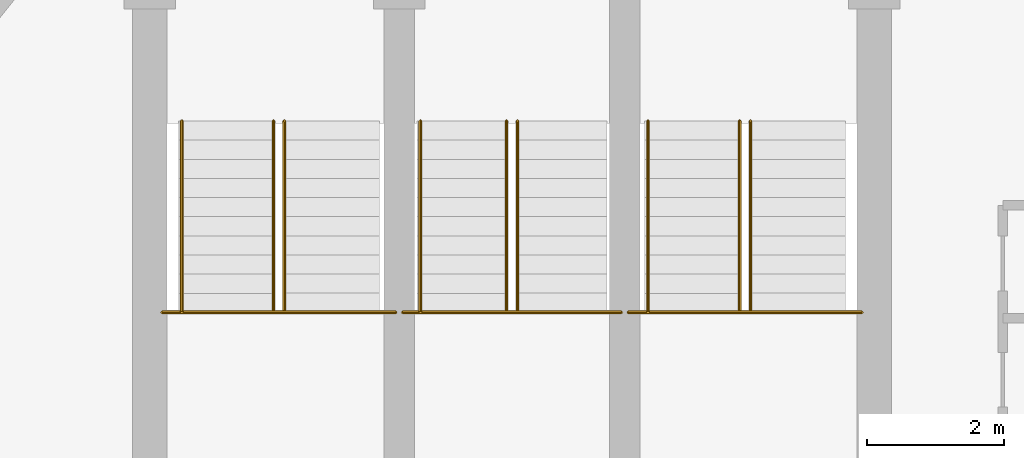
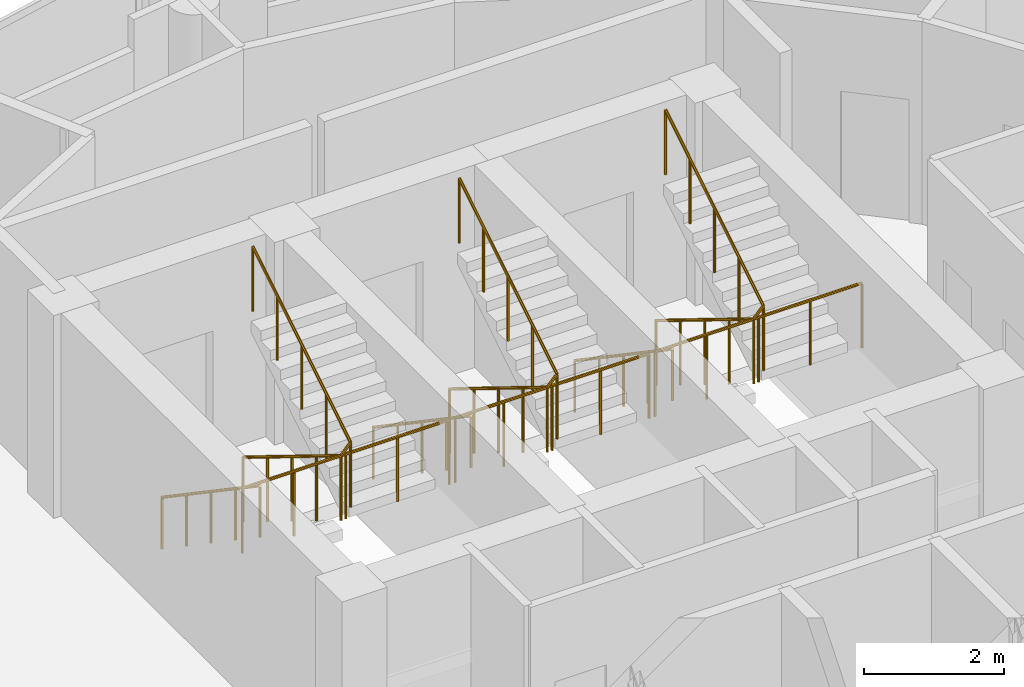
# One storey, part 25 of 25: 9 railings.
"""IFC4 building model written with IfcOpenShell, lengths in metres."""

import ifcopenshell
import ifcopenshell.guid

model = None  # the IFC model being written
_history = None  # IfcOwnerHistory: only IFC2X3 demands one
_inside = {}  # id of a spatial element -> (the spatial element, [elements in it])
_under = {}  # id of a project, library or spatial element -> (it, [spatial elements below it])
_declared = {}  # id of a project -> (the project, [libraries it declares])
_typed = {}  # id of a type object -> (the type object, [elements of that type])
_made_of = {}  # id of a material, layer set ... -> (it, [elements and type objects made of it])


def new_model(schema):
    """Start an empty IFC model of exactly this schema.

    Asked for "IFC4X3", IfcOpenShell would pick the latest addendum, in which some entities
    have other attributes; the version numbers below select the first issue.
    IFC2X3 requires an IfcOwnerHistory on every rooted entity: one is made here for all.
    """
    global model, _history
    if schema == "IFC4X3":
        model = ifcopenshell.file(schema_version=(4, 3, 0, 0))
    else:
        model = ifcopenshell.file(schema=schema)
    _inside.clear()
    _under.clear()
    _declared.clear()
    _typed.clear()
    _made_of.clear()
    _history = None
    if model.schema == "IFC2X3":
        org = make("IfcOrganization", Name="unknown")
        user = make(
            "IfcPersonAndOrganization",
            ThePerson=make("IfcPerson", FamilyName="unknown"),
            TheOrganization=org,
        )
        app = make(
            "IfcApplication",
            ApplicationDeveloper=org,
            Version="unknown",
            ApplicationFullName="unknown",
            ApplicationIdentifier="unknown",
        )
        _history = make(
            "IfcOwnerHistory",
            OwningUser=user,
            OwningApplication=app,
            ChangeAction="ADDED",
            CreationDate=0,
        )
    return model


def make(cls, **values):
    """One entity of the class cls with the attributes given. An attribute that is None is left unset."""
    return model.create_entity(
        cls, **{name: value for name, value in values.items() if value is not None}
    )


def rooted(cls, **values):
    """An entity with a GlobalId (a new one), such as an element, a storey or a relation."""
    return make(cls, GlobalId=ifcopenshell.guid.new(), OwnerHistory=_history, **values)


def si_unit(unit_type, name, prefix=None):
    """IfcSIUnit, for example si_unit("LENGTHUNIT", "METRE", prefix="MILLI")."""
    return make("IfcSIUnit", UnitType=unit_type, Prefix=prefix, Name=name)


def assignment(units):
    """IfcUnitAssignment: the units of a project."""
    return None if units is None else make("IfcUnitAssignment", Units=units)


def point(xyz):
    """IfcCartesianPoint."""
    return None if xyz is None else make("IfcCartesianPoint", Coordinates=xyz)


def direction(xyz):
    """IfcDirection."""
    return None if xyz is None else make("IfcDirection", DirectionRatios=xyz)


def frame(location, z_axis=None, x_axis=None):
    """IfcAxis2Placement3D, a coordinate frame: its origin and axes. An axis left out is left unset."""
    return make(
        "IfcAxis2Placement3D",
        Location=point(location),
        Axis=direction(z_axis),
        RefDirection=direction(x_axis),
    )


def origin():
    """The frame at (0, 0, 0) with its axes left unset."""
    return frame((0.0, 0.0, 0.0))


def place(relative_to, where):
    """IfcLocalPlacement: puts the frame where relative to a parent placement (None: the world)."""
    return make(
        "IfcLocalPlacement", PlacementRelTo=relative_to, RelativePlacement=where
    )


def context(
    kind, dimensions, precision=None, world=None, true_north=None, identifier=None
):
    """IfcGeometricRepresentationContext, for example the 3D "Model" context."""
    return make(
        "IfcGeometricRepresentationContext",
        ContextIdentifier=identifier,
        ContextType=kind,
        CoordinateSpaceDimension=dimensions,
        Precision=precision,
        WorldCoordinateSystem=world,
        TrueNorth=true_north,
    )


def subcontext(parent, identifier, kind, view, scale=None):
    """IfcGeometricRepresentationSubContext, for example "Body" below "Model"."""
    return make(
        "IfcGeometricRepresentationSubContext",
        ContextIdentifier=identifier,
        ContextType=kind,
        ParentContext=parent,
        TargetScale=scale,
        TargetView=view,
    )


def project(units=None, contexts=None):
    """IfcProject with its units and contexts."""
    return rooted(
        "IfcProject",
        Name="project",
        RepresentationContexts=contexts,
        UnitsInContext=assignment(units),
    )


def spatial(cls, under=None, at=None, **own):
    """A site, building, storey or space (cls), placed at a placement, below another one or the project."""
    s = rooted(cls, ObjectPlacement=at, **own)
    if under is not None:
        _under.setdefault(under.id(), (under, []))[1].append(s)
    return s


def polyline(points):
    """IfcPolyline through the points."""
    return make("IfcPolyline", Points=[point(p) for p in points])


def outline(outer, holes=None, kind="AREA"):
    """IfcArbitraryClosedProfileDef: a profile drawn as a closed curve; with holes, ...WithVoids."""
    if holes is None:
        return make("IfcArbitraryClosedProfileDef", ProfileType=kind, OuterCurve=outer)
    return make(
        "IfcArbitraryProfileDefWithVoids",
        ProfileType=kind,
        OuterCurve=outer,
        InnerCurves=holes,
    )


def extrude(swept, where, along, depth):
    """IfcExtrudedAreaSolid: the profile swept, set in the frame where, extruded along a direction by depth."""
    return make(
        "IfcExtrudedAreaSolid",
        SweptArea=swept,
        Position=where,
        ExtrudedDirection=direction(along),
        Depth=depth,
    )


def shape(context_of_items, identifier, shape_type, items):
    """IfcShapeRepresentation: the items that make up one representation, for example the "Body"."""
    return make(
        "IfcShapeRepresentation",
        ContextOfItems=context_of_items,
        RepresentationIdentifier=identifier,
        RepresentationType=shape_type,
        Items=items,
    )


def material(Name=None, Category=None):
    """IfcMaterial."""
    return make("IfcMaterial", Name=Name, Category=Category)


def made_of(thing, what):
    """Note that an element or type object is made of a material, layer set ...; save() writes the relation."""
    if what is not None:
        _made_of.setdefault(what.id(), (what, []))[1].append(thing)
    return thing


def type_object(cls, material=None, **own):
    """A type object (cls), such as IfcWallType, which elements share."""
    return made_of(rooted(cls, **own), material)


def element(
    cls,
    number,
    at=None,
    inside=None,
    cuts=None,
    type_object=None,
    material=None,
    context=None,
    identifier="Body",
    shape_type=None,
    held_by="IfcProductDefinitionShape",
    body=None,
    shapes=None,
    **own,
):
    """One element of the class cls, such as IfcWall. Its Tag is "e" and its number.

    at: its placement. inside: the storey or other place that contains it. cuts: it is an
    opening in that element (IfcRelVoidsElement). A single representation is given by context,
    identifier, shape_type and body (its items); several are given by shapes. held_by: the class
    of the entity that holds the representations. save() writes the other relations.
    """
    e = rooted(cls, Tag="e%d" % number, ObjectPlacement=at, **own)
    if body is not None:
        shapes = [shape(context, identifier, shape_type, body)]
    if shapes is not None:
        e.Representation = make(held_by, Representations=shapes)
    if inside is not None:
        _inside.setdefault(inside.id(), (inside, []))[1].append(e)
    if cuts is not None:
        rooted(
            "IfcRelVoidsElement", RelatingBuildingElement=cuts, RelatedOpeningElement=e
        )
    if type_object is not None:
        _typed.setdefault(type_object.id(), (type_object, []))[1].append(e)
    return made_of(e, material)


def aggregate(whole, parts):
    """IfcRelAggregates: a whole, such as a stair, and the parts it consists of."""
    return rooted("IfcRelAggregates", RelatingObject=whole, RelatedObjects=parts)


def save(model, path):
    """Write the relations noted so far, then the file.

    IfcRelAggregates (storeys below a building ...), IfcRelContainedInSpatialStructure (elements
    in a storey), IfcRelDefinesByType, IfcRelAssociatesMaterial and IfcRelDeclares: one each for
    every whole, place, type object, material and project.
    """
    for whole, parts in _under.values():
        aggregate(whole, parts)
    for where, things in _inside.values():
        rooted(
            "IfcRelContainedInSpatialStructure",
            RelatedElements=things,
            RelatingStructure=where,
        )
    for kind, things in _typed.values():
        rooted("IfcRelDefinesByType", RelatedObjects=things, RelatingType=kind)
    for what, things in _made_of.values():
        rooted("IfcRelAssociatesMaterial", RelatedObjects=things, RelatingMaterial=what)
    for by, libraries in _declared.values():
        rooted("IfcRelDeclares", RelatingContext=by, RelatedDefinitions=libraries)
    model.write(path)


model = new_model("IFC4")

# Units and contexts
model_context = context("Model", 3, precision=1e-05, world=origin(), true_north=direction((0.0, 1.0)))
body_context = subcontext(model_context, "Body", "Model", "MODEL_VIEW")
ifc_project = project(units=[si_unit("LENGTHUNIT", "METRE"), si_unit("AREAUNIT", "SQUARE_METRE"), si_unit("VOLUMEUNIT", "CUBIC_METRE"), si_unit("PLANEANGLEUNIT", "RADIAN"), si_unit("MASSUNIT", "GRAM", prefix="KILO")], contexts=[model_context])

# Site, building, storey
site_placement = place(None, origin())
site = spatial("IfcSite", under=ifc_project, at=site_placement, CompositionType="ELEMENT")
building_placement = place(site_placement, origin())
building = spatial("IfcBuilding", under=site, at=building_placement, Name="Nuhasar Tower", CompositionType="ELEMENT")
storey_placement = place(building_placement, frame((0.0, 0.0, 255.60009765625)))
storey = spatial("IfcBuildingStorey", under=building, at=storey_placement, Name="L63", CompositionType="ELEMENT", Elevation=255.60009765625)

# Railings
ifc_material_1 = material(Name="Steel S355", Category="steel")
railing_type_1 = type_object("IfcRailingType", Name="RLG-STAIR-GUARD-1150", PredefinedType="GUARDRAIL", material=ifc_material_1)
railing_1_placement = place(storey_placement, frame((33.8798828125, 32.485107421875, 1.89990234375)))
element("IfcRailing", 1, at=railing_1_placement, inside=storey, type_object=railing_type_1, Name="L63 Stair ST-01 Guardrail LND", PredefinedType="GUARDRAIL", context=body_context, shape_type="SweptSolid", body=[
    extrude(outline(polyline([(0.024169921875, 0.0), (0.01708984375, 0.01708984375), (0.0, 0.024169921875), (-0.01708984375, 0.01708984375), (-0.024169921875, 0.0), (-0.01708984375, -0.01708984375), (0.0, -0.024169921875), (0.01708984375, -0.01708984375), (0.024169921875, 0.0)])), frame((0.0, 0.0, 1.1259765625), z_axis=(1.0, 0.0, 0.0), x_axis=(0.0, 1.0, 0.0)), (0.0, 0.0, 1.0), 3.420166015625),
    extrude(outline(polyline([(0.02099609375, 0.0), (0.014892578125, 0.014892578125), (0.0, 0.02099609375), (-0.014892578125, 0.014892578125), (-0.02099609375, 0.0), (-0.014892578125, -0.014892578125), (0.0, -0.02099609375), (0.014892578125, -0.014892578125), (0.02099609375, 0.0)])), origin(), (0.0, 0.0, 1.0), 1.101806640625),
    extrude(outline(polyline([(0.02099609375, 0.0), (0.014892578125, 0.014892578125), (0.0, 0.02099609375), (-0.014892578125, 0.014892578125), (-0.02099609375, 0.0), (-0.014892578125, -0.014892578125), (0.0, -0.02099609375), (0.014892578125, -0.014892578125), (0.02099609375, 0.0)])), frame((0.85498046875, 0.0, 0.0)), (0.0, 0.0, 1.0), 1.101806640625),
    extrude(outline(polyline([(0.02099609375, 0.0), (0.014892578125, 0.014892578125), (0.0, 0.02099609375), (-0.014892578125, 0.014892578125), (-0.02099609375, 0.0), (-0.014892578125, -0.014892578125), (0.0, -0.02099609375), (0.014892578125, -0.014892578125), (0.02099609375, 0.0)])), frame((1.7099609375, 0.0, 0.0)), (0.0, 0.0, 1.0), 1.101806640625),
    extrude(outline(polyline([(0.02099609375, 0.0), (0.014892578125, 0.014892578125), (0.0, 0.02099609375), (-0.014892578125, 0.014892578125), (-0.02099609375, 0.0), (-0.014892578125, -0.014892578125), (0.0, -0.02099609375), (0.014892578125, -0.014892578125), (0.02099609375, 0.0)])), frame((2.565185546875, 0.0, 0.0)), (0.0, 0.0, 1.0), 1.101806640625),
    extrude(outline(polyline([(0.02099609375, 0.0), (0.014892578125, 0.014892578125), (0.0, 0.02099609375), (-0.014892578125, 0.014892578125), (-0.02099609375, 0.0), (-0.014892578125, -0.014892578125), (0.0, -0.02099609375), (0.014892578125, -0.014892578125), (0.02099609375, 0.0)])), frame((3.420166015625, 0.0, 0.0)), (0.0, 0.0, 1.0), 1.101806640625),
])
railing_2_placement = place(storey_placement, frame((35.510009765625, 35.284912109375, 0.1728515625)))
element("IfcRailing", 2, at=railing_2_placement, inside=storey, type_object=railing_type_1, Name="L63 Stair ST-01 Guardrail SLT", PredefinedType="GUARDRAIL", context=body_context, shape_type="SweptSolid", body=[
    extrude(outline(polyline([(0.024169921875, 0.0), (0.01708984375, 0.01708984375), (0.0, 0.024169921875), (-0.01708984375, 0.01708984375), (-0.024169921875, 0.0), (-0.01708984375, -0.01708984375), (0.0, -0.024169921875), (0.01708984375, -0.01708984375), (0.024169921875, 0.0)])), frame((0.0, 0.0, 1.1259765625), z_axis=(0.0, -0.851102337555, 0.524999820009), x_axis=(1.0, 0.0, 0.0)), (0.0, 0.0, 1.0), 3.28955078125),
    extrude(outline(polyline([(0.024169921875, 0.0), (0.01708984375, 0.01708984375), (0.0, 0.024169921875), (-0.01708984375, 0.01708984375), (-0.024169921875, 0.0), (-0.01708984375, -0.01708984375), (0.0, -0.024169921875), (0.01708984375, -0.01708984375), (0.024169921875, 0.0)])), frame((0.0, -2.7998046875, 2.85302734375), z_axis=(0.678581247581, 0.0, 0.734525350435), x_axis=(0.0, 1.0, 0.0)), (0.0, 0.0, 1.0), 0.235595703125),
    extrude(outline(polyline([(0.024169921875, 0.0), (0.01708984375, 0.01708984375), (0.0, 0.024169921875), (-0.01708984375, 0.01708984375), (-0.024169921875, 0.0), (-0.01708984375, -0.01708984375), (0.0, -0.024169921875), (0.01708984375, -0.01708984375), (0.024169921875, 0.0)])), frame((0.159912109375, -2.7998046875, 3.02587890625), z_axis=(0.0, 0.851135498715, 0.524946057064), x_axis=(-1.0, 0.0, 0.0)), (0.0, 0.0, 1.0), 3.28955078125),
    extrude(outline(polyline([(0.02099609375, 0.0), (0.014892578125, 0.014892578125), (0.0, 0.02099609375), (-0.014892578125, 0.014892578125), (-0.02099609375, 0.0), (-0.014892578125, -0.014892578125), (0.0, -0.02099609375), (0.014892578125, -0.014892578125), (0.02099609375, 0.0)])), origin(), (0.0, 0.0, 1.0), 1.101806640625),
    extrude(outline(polyline([(0.02099609375, 0.0), (0.014892578125, 0.014892578125), (0.0, 0.02099609375), (-0.014892578125, 0.014892578125), (-0.02099609375, 0.0), (-0.014892578125, -0.014892578125), (0.0, -0.02099609375), (0.014892578125, -0.014892578125), (0.02099609375, 0.0)])), frame((0.0, -0.699951171875, 0.431640625)), (0.0, 0.0, 1.0), 1.101806640625),
    extrude(outline(polyline([(0.02099609375, 0.0), (0.014892578125, 0.014892578125), (0.0, 0.02099609375), (-0.014892578125, 0.014892578125), (-0.02099609375, 0.0), (-0.014892578125, -0.014892578125), (0.0, -0.02099609375), (0.014892578125, -0.014892578125), (0.02099609375, 0.0)])), frame((0.0, -1.39990234375, 0.863525390625)), (0.0, 0.0, 1.0), 1.101806640625),
    extrude(outline(polyline([(0.02099609375, 0.0), (0.014892578125, 0.014892578125), (0.0, 0.02099609375), (-0.014892578125, 0.014892578125), (-0.02099609375, 0.0), (-0.014892578125, -0.014892578125), (0.0, -0.02099609375), (0.014892578125, -0.014892578125), (0.02099609375, 0.0)])), frame((0.0, -2.099853515625, 1.29541015625)), (0.0, 0.0, 1.0), 1.101806640625),
    extrude(outline(polyline([(0.02099609375, 0.0), (0.014892578125, 0.014892578125), (0.0, 0.02099609375), (-0.014892578125, 0.014892578125), (-0.02099609375, 0.0), (-0.014892578125, -0.014892578125), (0.0, -0.02099609375), (0.014892578125, -0.014892578125), (0.02099609375, 0.0)])), frame((0.0, -2.7998046875, 1.72705078125)), (0.0, 0.0, 1.0), 1.101806640625),
    extrude(outline(polyline([(0.02099609375, 0.0), (0.014892578125, 0.014892578125), (0.0, 0.02099609375), (-0.014892578125, 0.014892578125), (-0.02099609375, 0.0), (-0.014892578125, -0.014892578125), (0.0, -0.02099609375), (0.014892578125, -0.014892578125), (0.02099609375, 0.0)])), frame((0.159912109375, -2.7998046875, 1.900146484375)), (0.0, 0.0, 1.0), 1.101806640625),
    extrude(outline(polyline([(0.02099609375, 0.0), (0.014892578125, 0.014892578125), (0.0, 0.02099609375), (-0.014892578125, 0.014892578125), (-0.02099609375, 0.0), (-0.014892578125, -0.014892578125), (0.0, -0.02099609375), (0.014892578125, -0.014892578125), (0.02099609375, 0.0)])), frame((0.159912109375, -2.099853515625, 2.331787109375)), (0.0, 0.0, 1.0), 1.101806640625),
    extrude(outline(polyline([(0.02099609375, 0.0), (0.014892578125, 0.014892578125), (0.0, 0.02099609375), (-0.014892578125, 0.014892578125), (-0.02099609375, 0.0), (-0.014892578125, -0.014892578125), (0.0, -0.02099609375), (0.014892578125, -0.014892578125), (0.02099609375, 0.0)])), frame((0.159912109375, -1.39990234375, 2.763671875)), (0.0, 0.0, 1.0), 1.101806640625),
    extrude(outline(polyline([(0.02099609375, 0.0), (0.014892578125, 0.014892578125), (0.0, 0.02099609375), (-0.014892578125, 0.014892578125), (-0.02099609375, 0.0), (-0.014892578125, -0.014892578125), (0.0, -0.02099609375), (0.014892578125, -0.014892578125), (0.02099609375, 0.0)])), frame((0.159912109375, -0.699951171875, 3.1953125)), (0.0, 0.0, 1.0), 1.101806640625),
    extrude(outline(polyline([(0.02099609375, 0.0), (0.014892578125, 0.014892578125), (0.0, 0.02099609375), (-0.014892578125, 0.014892578125), (-0.02099609375, 0.0), (-0.014892578125, -0.014892578125), (0.0, -0.02099609375), (0.014892578125, -0.014892578125), (0.02099609375, 0.0)])), frame((0.159912109375, 0.0, 3.626953125)), (0.0, 0.0, 1.0), 1.101806640625),
])
railing_3_placement = place(storey_placement, frame((37.39990234375, 32.485107421875, 1.89990234375)))
element("IfcRailing", 3, at=railing_3_placement, inside=storey, type_object=railing_type_1, Name="L63 Stair ST-03 Guardrail LND", PredefinedType="GUARDRAIL", context=body_context, shape_type="SweptSolid", body=[
    extrude(outline(polyline([(0.024169921875, 0.0), (0.01708984375, 0.01708984375), (0.0, 0.024169921875), (-0.01708984375, 0.01708984375), (-0.024169921875, 0.0), (-0.01708984375, -0.01708984375), (0.0, -0.024169921875), (0.01708984375, -0.01708984375), (0.024169921875, 0.0)])), frame((0.0, 0.0, 1.1259765625), z_axis=(1.0, 0.0, 0.0), x_axis=(0.0, 1.0, 0.0)), (0.0, 0.0, 1.0), 3.2001953125),
    extrude(outline(polyline([(0.02099609375, 0.0), (0.014892578125, 0.014892578125), (0.0, 0.02099609375), (-0.014892578125, 0.014892578125), (-0.02099609375, 0.0), (-0.014892578125, -0.014892578125), (0.0, -0.02099609375), (0.014892578125, -0.014892578125), (0.02099609375, 0.0)])), origin(), (0.0, 0.0, 1.0), 1.101806640625),
    extrude(outline(polyline([(0.02099609375, 0.0), (0.014892578125, 0.014892578125), (0.0, 0.02099609375), (-0.014892578125, 0.014892578125), (-0.02099609375, 0.0), (-0.014892578125, -0.014892578125), (0.0, -0.02099609375), (0.014892578125, -0.014892578125), (0.02099609375, 0.0)])), frame((0.800048828125, 0.0, 0.0)), (0.0, 0.0, 1.0), 1.101806640625),
    extrude(outline(polyline([(0.02099609375, 0.0), (0.014892578125, 0.014892578125), (0.0, 0.02099609375), (-0.014892578125, 0.014892578125), (-0.02099609375, 0.0), (-0.014892578125, -0.014892578125), (0.0, -0.02099609375), (0.014892578125, -0.014892578125), (0.02099609375, 0.0)])), frame((1.60009765625, 0.0, 0.0)), (0.0, 0.0, 1.0), 1.101806640625),
    extrude(outline(polyline([(0.02099609375, 0.0), (0.014892578125, 0.014892578125), (0.0, 0.02099609375), (-0.014892578125, 0.014892578125), (-0.02099609375, 0.0), (-0.014892578125, -0.014892578125), (0.0, -0.02099609375), (0.014892578125, -0.014892578125), (0.02099609375, 0.0)])), frame((2.400146484375, 0.0, 0.0)), (0.0, 0.0, 1.0), 1.101806640625),
    extrude(outline(polyline([(0.02099609375, 0.0), (0.014892578125, 0.014892578125), (0.0, 0.02099609375), (-0.014892578125, 0.014892578125), (-0.02099609375, 0.0), (-0.014892578125, -0.014892578125), (0.0, -0.02099609375), (0.014892578125, -0.014892578125), (0.02099609375, 0.0)])), frame((3.2001953125, 0.0, 0.0)), (0.0, 0.0, 1.0), 1.101806640625),
])
railing_4_placement = place(storey_placement, frame((38.919921875, 35.284912109375, 0.1728515625)))
element("IfcRailing", 4, at=railing_4_placement, inside=storey, type_object=railing_type_1, Name="L63 Stair ST-03 Guardrail SLT", PredefinedType="GUARDRAIL", context=body_context, shape_type="SweptSolid", body=[
    extrude(outline(polyline([(0.024169921875, 0.0), (0.01708984375, 0.01708984375), (0.0, 0.024169921875), (-0.01708984375, 0.01708984375), (-0.024169921875, 0.0), (-0.01708984375, -0.01708984375), (0.0, -0.024169921875), (0.01708984375, -0.01708984375), (0.024169921875, 0.0)])), frame((0.0, 0.0, 1.1259765625), z_axis=(0.0, -0.851102337555, 0.524999820009), x_axis=(1.0, 0.0, 0.0)), (0.0, 0.0, 1.0), 3.28955078125),
    extrude(outline(polyline([(0.024169921875, 0.0), (0.01708984375, 0.01708984375), (0.0, 0.024169921875), (-0.01708984375, 0.01708984375), (-0.024169921875, 0.0), (-0.01708984375, -0.01708984375), (0.0, -0.024169921875), (0.01708984375, -0.01708984375), (0.024169921875, 0.0)])), frame((0.0, -2.7998046875, 2.85302734375), z_axis=(0.679139610055, 0.0, 0.734009121234), x_axis=(0.0, 1.0, 0.0)), (0.0, 0.0, 1.0), 0.23583984375),
    extrude(outline(polyline([(0.024169921875, 0.0), (0.01708984375, 0.01708984375), (0.0, 0.024169921875), (-0.01708984375, 0.01708984375), (-0.024169921875, 0.0), (-0.01708984375, -0.01708984375), (0.0, -0.024169921875), (0.01708984375, -0.01708984375), (0.024169921875, 0.0)])), frame((0.16015625, -2.7998046875, 3.02587890625), z_axis=(0.0, 0.851135498715, 0.524946057064), x_axis=(-1.0, 0.0, 0.0)), (0.0, 0.0, 1.0), 3.28955078125),
    extrude(outline(polyline([(0.02099609375, 0.0), (0.014892578125, 0.014892578125), (0.0, 0.02099609375), (-0.014892578125, 0.014892578125), (-0.02099609375, 0.0), (-0.014892578125, -0.014892578125), (0.0, -0.02099609375), (0.014892578125, -0.014892578125), (0.02099609375, 0.0)])), origin(), (0.0, 0.0, 1.0), 1.101806640625),
    extrude(outline(polyline([(0.02099609375, 0.0), (0.014892578125, 0.014892578125), (0.0, 0.02099609375), (-0.014892578125, 0.014892578125), (-0.02099609375, 0.0), (-0.014892578125, -0.014892578125), (0.0, -0.02099609375), (0.014892578125, -0.014892578125), (0.02099609375, 0.0)])), frame((0.0, -0.699951171875, 0.431640625)), (0.0, 0.0, 1.0), 1.101806640625),
    extrude(outline(polyline([(0.02099609375, 0.0), (0.014892578125, 0.014892578125), (0.0, 0.02099609375), (-0.014892578125, 0.014892578125), (-0.02099609375, 0.0), (-0.014892578125, -0.014892578125), (0.0, -0.02099609375), (0.014892578125, -0.014892578125), (0.02099609375, 0.0)])), frame((0.0, -1.39990234375, 0.863525390625)), (0.0, 0.0, 1.0), 1.101806640625),
    extrude(outline(polyline([(0.02099609375, 0.0), (0.014892578125, 0.014892578125), (0.0, 0.02099609375), (-0.014892578125, 0.014892578125), (-0.02099609375, 0.0), (-0.014892578125, -0.014892578125), (0.0, -0.02099609375), (0.014892578125, -0.014892578125), (0.02099609375, 0.0)])), frame((0.0, -2.099853515625, 1.29541015625)), (0.0, 0.0, 1.0), 1.101806640625),
    extrude(outline(polyline([(0.02099609375, 0.0), (0.014892578125, 0.014892578125), (0.0, 0.02099609375), (-0.014892578125, 0.014892578125), (-0.02099609375, 0.0), (-0.014892578125, -0.014892578125), (0.0, -0.02099609375), (0.014892578125, -0.014892578125), (0.02099609375, 0.0)])), frame((0.0, -2.7998046875, 1.72705078125)), (0.0, 0.0, 1.0), 1.101806640625),
    extrude(outline(polyline([(0.02099609375, 0.0), (0.014892578125, 0.014892578125), (0.0, 0.02099609375), (-0.014892578125, 0.014892578125), (-0.02099609375, 0.0), (-0.014892578125, -0.014892578125), (0.0, -0.02099609375), (0.014892578125, -0.014892578125), (0.02099609375, 0.0)])), frame((0.16015625, -2.7998046875, 1.900146484375)), (0.0, 0.0, 1.0), 1.101806640625),
    extrude(outline(polyline([(0.02099609375, 0.0), (0.014892578125, 0.014892578125), (0.0, 0.02099609375), (-0.014892578125, 0.014892578125), (-0.02099609375, 0.0), (-0.014892578125, -0.014892578125), (0.0, -0.02099609375), (0.014892578125, -0.014892578125), (0.02099609375, 0.0)])), frame((0.16015625, -2.099853515625, 2.331787109375)), (0.0, 0.0, 1.0), 1.101806640625),
    extrude(outline(polyline([(0.02099609375, 0.0), (0.014892578125, 0.014892578125), (0.0, 0.02099609375), (-0.014892578125, 0.014892578125), (-0.02099609375, 0.0), (-0.014892578125, -0.014892578125), (0.0, -0.02099609375), (0.014892578125, -0.014892578125), (0.02099609375, 0.0)])), frame((0.16015625, -1.39990234375, 2.763671875)), (0.0, 0.0, 1.0), 1.101806640625),
    extrude(outline(polyline([(0.02099609375, 0.0), (0.014892578125, 0.014892578125), (0.0, 0.02099609375), (-0.014892578125, 0.014892578125), (-0.02099609375, 0.0), (-0.014892578125, -0.014892578125), (0.0, -0.02099609375), (0.014892578125, -0.014892578125), (0.02099609375, 0.0)])), frame((0.16015625, -0.699951171875, 3.1953125)), (0.0, 0.0, 1.0), 1.101806640625),
    extrude(outline(polyline([(0.02099609375, 0.0), (0.014892578125, 0.014892578125), (0.0, 0.02099609375), (-0.014892578125, 0.014892578125), (-0.02099609375, 0.0), (-0.014892578125, -0.014892578125), (0.0, -0.02099609375), (0.014892578125, -0.014892578125), (0.02099609375, 0.0)])), frame((0.16015625, 0.0, 3.626953125)), (0.0, 0.0, 1.0), 1.101806640625),
])
railing_5_placement = place(storey_placement, frame((40.699951171875, 32.485107421875, 1.89990234375)))
element("IfcRailing", 5, at=railing_5_placement, inside=storey, type_object=railing_type_1, Name="L63 Stair ST-02 Guardrail LND", PredefinedType="GUARDRAIL", context=body_context, shape_type="SweptSolid", body=[
    extrude(outline(polyline([(0.024169921875, 0.0), (0.01708984375, 0.01708984375), (0.0, 0.024169921875), (-0.01708984375, 0.01708984375), (-0.024169921875, 0.0), (-0.01708984375, -0.01708984375), (0.0, -0.024169921875), (0.01708984375, -0.01708984375), (0.024169921875, 0.0)])), frame((0.0, 0.0, 1.1259765625), z_axis=(1.0, 0.0, 0.0), x_axis=(0.0, 1.0, 0.0)), (0.0, 0.0, 1.0), 3.420166015625),
    extrude(outline(polyline([(0.02099609375, 0.0), (0.014892578125, 0.014892578125), (0.0, 0.02099609375), (-0.014892578125, 0.014892578125), (-0.02099609375, 0.0), (-0.014892578125, -0.014892578125), (0.0, -0.02099609375), (0.014892578125, -0.014892578125), (0.02099609375, 0.0)])), origin(), (0.0, 0.0, 1.0), 1.101806640625),
    extrude(outline(polyline([(0.02099609375, 0.0), (0.014892578125, 0.014892578125), (0.0, 0.02099609375), (-0.014892578125, 0.014892578125), (-0.02099609375, 0.0), (-0.014892578125, -0.014892578125), (0.0, -0.02099609375), (0.014892578125, -0.014892578125), (0.02099609375, 0.0)])), frame((0.85498046875, 0.0, 0.0)), (0.0, 0.0, 1.0), 1.101806640625),
    extrude(outline(polyline([(0.02099609375, 0.0), (0.014892578125, 0.014892578125), (0.0, 0.02099609375), (-0.014892578125, 0.014892578125), (-0.02099609375, 0.0), (-0.014892578125, -0.014892578125), (0.0, -0.02099609375), (0.014892578125, -0.014892578125), (0.02099609375, 0.0)])), frame((1.7099609375, 0.0, 0.0)), (0.0, 0.0, 1.0), 1.101806640625),
    extrude(outline(polyline([(0.02099609375, 0.0), (0.014892578125, 0.014892578125), (0.0, 0.02099609375), (-0.014892578125, 0.014892578125), (-0.02099609375, 0.0), (-0.014892578125, -0.014892578125), (0.0, -0.02099609375), (0.014892578125, -0.014892578125), (0.02099609375, 0.0)])), frame((2.565185546875, 0.0, 0.0)), (0.0, 0.0, 1.0), 1.101806640625),
    extrude(outline(polyline([(0.02099609375, 0.0), (0.014892578125, 0.014892578125), (0.0, 0.02099609375), (-0.014892578125, 0.014892578125), (-0.02099609375, 0.0), (-0.014892578125, -0.014892578125), (0.0, -0.02099609375), (0.014892578125, -0.014892578125), (0.02099609375, 0.0)])), frame((3.420166015625, 0.0, 0.0)), (0.0, 0.0, 1.0), 1.101806640625),
])
railing_6_placement = place(storey_placement, frame((42.330078125, 35.284912109375, 0.1728515625)))
element("IfcRailing", 6, at=railing_6_placement, inside=storey, type_object=railing_type_1, Name="L63 Stair ST-02 Guardrail SLT", PredefinedType="GUARDRAIL", context=body_context, shape_type="SweptSolid", body=[
    extrude(outline(polyline([(0.024169921875, 0.0), (0.01708984375, 0.01708984375), (0.0, 0.024169921875), (-0.01708984375, 0.01708984375), (-0.024169921875, 0.0), (-0.01708984375, -0.01708984375), (0.0, -0.024169921875), (0.01708984375, -0.01708984375), (0.024169921875, 0.0)])), frame((0.0, 0.0, 1.1259765625), z_axis=(0.0, -0.851102337555, 0.524999820009), x_axis=(1.0, 0.0, 0.0)), (0.0, 0.0, 1.0), 3.28955078125),
    extrude(outline(polyline([(0.024169921875, 0.0), (0.01708984375, 0.01708984375), (0.0, 0.024169921875), (-0.01708984375, 0.01708984375), (-0.024169921875, 0.0), (-0.01708984375, -0.01708984375), (0.0, -0.024169921875), (0.01708984375, -0.01708984375), (0.024169921875, 0.0)])), frame((0.0, -2.7998046875, 2.85302734375), z_axis=(0.678581247581, 0.0, 0.734525350435), x_axis=(0.0, 1.0, 0.0)), (0.0, 0.0, 1.0), 0.235595703125),
    extrude(outline(polyline([(0.024169921875, 0.0), (0.01708984375, 0.01708984375), (0.0, 0.024169921875), (-0.01708984375, 0.01708984375), (-0.024169921875, 0.0), (-0.01708984375, -0.01708984375), (0.0, -0.024169921875), (0.01708984375, -0.01708984375), (0.024169921875, 0.0)])), frame((0.159912109375, -2.7998046875, 3.02587890625), z_axis=(0.0, 0.851135498715, 0.524946057064), x_axis=(-1.0, 0.0, 0.0)), (0.0, 0.0, 1.0), 3.28955078125),
    extrude(outline(polyline([(0.02099609375, 0.0), (0.014892578125, 0.014892578125), (0.0, 0.02099609375), (-0.014892578125, 0.014892578125), (-0.02099609375, 0.0), (-0.014892578125, -0.014892578125), (0.0, -0.02099609375), (0.014892578125, -0.014892578125), (0.02099609375, 0.0)])), origin(), (0.0, 0.0, 1.0), 1.101806640625),
    extrude(outline(polyline([(0.02099609375, 0.0), (0.014892578125, 0.014892578125), (0.0, 0.02099609375), (-0.014892578125, 0.014892578125), (-0.02099609375, 0.0), (-0.014892578125, -0.014892578125), (0.0, -0.02099609375), (0.014892578125, -0.014892578125), (0.02099609375, 0.0)])), frame((0.0, -0.699951171875, 0.431640625)), (0.0, 0.0, 1.0), 1.101806640625),
    extrude(outline(polyline([(0.02099609375, 0.0), (0.014892578125, 0.014892578125), (0.0, 0.02099609375), (-0.014892578125, 0.014892578125), (-0.02099609375, 0.0), (-0.014892578125, -0.014892578125), (0.0, -0.02099609375), (0.014892578125, -0.014892578125), (0.02099609375, 0.0)])), frame((0.0, -1.39990234375, 0.863525390625)), (0.0, 0.0, 1.0), 1.101806640625),
    extrude(outline(polyline([(0.02099609375, 0.0), (0.014892578125, 0.014892578125), (0.0, 0.02099609375), (-0.014892578125, 0.014892578125), (-0.02099609375, 0.0), (-0.014892578125, -0.014892578125), (0.0, -0.02099609375), (0.014892578125, -0.014892578125), (0.02099609375, 0.0)])), frame((0.0, -2.099853515625, 1.29541015625)), (0.0, 0.0, 1.0), 1.101806640625),
    extrude(outline(polyline([(0.02099609375, 0.0), (0.014892578125, 0.014892578125), (0.0, 0.02099609375), (-0.014892578125, 0.014892578125), (-0.02099609375, 0.0), (-0.014892578125, -0.014892578125), (0.0, -0.02099609375), (0.014892578125, -0.014892578125), (0.02099609375, 0.0)])), frame((0.0, -2.7998046875, 1.72705078125)), (0.0, 0.0, 1.0), 1.101806640625),
    extrude(outline(polyline([(0.02099609375, 0.0), (0.014892578125, 0.014892578125), (0.0, 0.02099609375), (-0.014892578125, 0.014892578125), (-0.02099609375, 0.0), (-0.014892578125, -0.014892578125), (0.0, -0.02099609375), (0.014892578125, -0.014892578125), (0.02099609375, 0.0)])), frame((0.159912109375, -2.7998046875, 1.900146484375)), (0.0, 0.0, 1.0), 1.101806640625),
    extrude(outline(polyline([(0.02099609375, 0.0), (0.014892578125, 0.014892578125), (0.0, 0.02099609375), (-0.014892578125, 0.014892578125), (-0.02099609375, 0.0), (-0.014892578125, -0.014892578125), (0.0, -0.02099609375), (0.014892578125, -0.014892578125), (0.02099609375, 0.0)])), frame((0.159912109375, -2.099853515625, 2.331787109375)), (0.0, 0.0, 1.0), 1.101806640625),
    extrude(outline(polyline([(0.02099609375, 0.0), (0.014892578125, 0.014892578125), (0.0, 0.02099609375), (-0.014892578125, 0.014892578125), (-0.02099609375, 0.0), (-0.014892578125, -0.014892578125), (0.0, -0.02099609375), (0.014892578125, -0.014892578125), (0.02099609375, 0.0)])), frame((0.159912109375, -1.39990234375, 2.763671875)), (0.0, 0.0, 1.0), 1.101806640625),
    extrude(outline(polyline([(0.02099609375, 0.0), (0.014892578125, 0.014892578125), (0.0, 0.02099609375), (-0.014892578125, 0.014892578125), (-0.02099609375, 0.0), (-0.014892578125, -0.014892578125), (0.0, -0.02099609375), (0.014892578125, -0.014892578125), (0.02099609375, 0.0)])), frame((0.159912109375, -0.699951171875, 3.1953125)), (0.0, 0.0, 1.0), 1.101806640625),
    extrude(outline(polyline([(0.02099609375, 0.0), (0.014892578125, 0.014892578125), (0.0, 0.02099609375), (-0.014892578125, 0.014892578125), (-0.02099609375, 0.0), (-0.014892578125, -0.014892578125), (0.0, -0.02099609375), (0.014892578125, -0.014892578125), (0.02099609375, 0.0)])), frame((0.159912109375, 0.0, 3.626953125)), (0.0, 0.0, 1.0), 1.101806640625),
])
ifc_material_2 = material(Name="Stainless Steel 316L", Category="steel")
railing_type_2 = type_object("IfcRailingType", Name="RLG-STAIR-HAND-920", PredefinedType="HANDRAIL", material=ifc_material_2)
railing_7_placement = place(storey_placement, frame((34.169921875, 35.284912109375, 0.1728515625)))
element("IfcRailing", 7, at=railing_7_placement, inside=storey, type_object=railing_type_2, Name="L63 Stair ST-01 Handrail HND1", PredefinedType="HANDRAIL", context=body_context, shape_type="SweptSolid", body=[
    extrude(outline(polyline([(0.024169921875, 0.0), (0.01708984375, 0.01708984375), (0.0, 0.024169921875), (-0.01708984375, 0.01708984375), (-0.024169921875, 0.0), (-0.01708984375, -0.01708984375), (0.0, -0.024169921875), (0.01708984375, -0.01708984375), (0.024169921875, 0.0)])), frame((0.0, 0.0, 0.89599609375), z_axis=(0.0, -0.827437459516, 0.561557878219), x_axis=(1.0, 0.0, 0.0)), (0.0, 0.0, 1.0), 3.3837890625),
    extrude(outline(polyline([(0.02099609375, 0.0), (0.014892578125, 0.014892578125), (0.0, 0.02099609375), (-0.014892578125, 0.014892578125), (-0.02099609375, 0.0), (-0.014892578125, -0.014892578125), (0.0, -0.02099609375), (0.014892578125, -0.014892578125), (0.02099609375, 0.0)])), origin(), (0.0, 0.0, 1.0), 0.871826171875),
    extrude(outline(polyline([(0.02099609375, 0.0), (0.014892578125, 0.014892578125), (0.0, 0.02099609375), (-0.014892578125, 0.014892578125), (-0.02099609375, 0.0), (-0.014892578125, -0.014892578125), (0.0, -0.02099609375), (0.014892578125, -0.014892578125), (0.02099609375, 0.0)])), frame((0.0, -0.699951171875, 0.47509765625)), (0.0, 0.0, 1.0), 0.871826171875),
    extrude(outline(polyline([(0.02099609375, 0.0), (0.014892578125, 0.014892578125), (0.0, 0.02099609375), (-0.014892578125, 0.014892578125), (-0.02099609375, 0.0), (-0.014892578125, -0.014892578125), (0.0, -0.02099609375), (0.014892578125, -0.014892578125), (0.02099609375, 0.0)])), frame((0.0, -1.39990234375, 0.9501953125)), (0.0, 0.0, 1.0), 0.871826171875),
    extrude(outline(polyline([(0.02099609375, 0.0), (0.014892578125, 0.014892578125), (0.0, 0.02099609375), (-0.014892578125, 0.014892578125), (-0.02099609375, 0.0), (-0.014892578125, -0.014892578125), (0.0, -0.02099609375), (0.014892578125, -0.014892578125), (0.02099609375, 0.0)])), frame((0.0, -2.099853515625, 1.425048828125)), (0.0, 0.0, 1.0), 0.871826171875),
    extrude(outline(polyline([(0.02099609375, 0.0), (0.014892578125, 0.014892578125), (0.0, 0.02099609375), (-0.014892578125, 0.014892578125), (-0.02099609375, 0.0), (-0.014892578125, -0.014892578125), (0.0, -0.02099609375), (0.014892578125, -0.014892578125), (0.02099609375, 0.0)])), frame((0.0, -2.7998046875, 1.900146484375)), (0.0, 0.0, 1.0), 0.871826171875),
])
railing_8_placement = place(storey_placement, frame((37.659912109375, 35.284912109375, 0.1728515625)))
element("IfcRailing", 8, at=railing_8_placement, inside=storey, type_object=railing_type_2, Name="L63 Stair ST-03 Handrail HND1", PredefinedType="HANDRAIL", context=body_context, shape_type="SweptSolid", body=[
    extrude(outline(polyline([(0.024169921875, 0.0), (0.01708984375, 0.01708984375), (0.0, 0.024169921875), (-0.01708984375, 0.01708984375), (-0.024169921875, 0.0), (-0.01708984375, -0.01708984375), (0.0, -0.024169921875), (0.01708984375, -0.01708984375), (0.024169921875, 0.0)])), frame((0.0, 0.0, 0.89599609375), z_axis=(0.0, -0.827437459516, 0.561557878219), x_axis=(1.0, 0.0, 0.0)), (0.0, 0.0, 1.0), 3.3837890625),
    extrude(outline(polyline([(0.02099609375, 0.0), (0.014892578125, 0.014892578125), (0.0, 0.02099609375), (-0.014892578125, 0.014892578125), (-0.02099609375, 0.0), (-0.014892578125, -0.014892578125), (0.0, -0.02099609375), (0.014892578125, -0.014892578125), (0.02099609375, 0.0)])), origin(), (0.0, 0.0, 1.0), 0.871826171875),
    extrude(outline(polyline([(0.02099609375, 0.0), (0.014892578125, 0.014892578125), (0.0, 0.02099609375), (-0.014892578125, 0.014892578125), (-0.02099609375, 0.0), (-0.014892578125, -0.014892578125), (0.0, -0.02099609375), (0.014892578125, -0.014892578125), (0.02099609375, 0.0)])), frame((0.0, -0.699951171875, 0.47509765625)), (0.0, 0.0, 1.0), 0.871826171875),
    extrude(outline(polyline([(0.02099609375, 0.0), (0.014892578125, 0.014892578125), (0.0, 0.02099609375), (-0.014892578125, 0.014892578125), (-0.02099609375, 0.0), (-0.014892578125, -0.014892578125), (0.0, -0.02099609375), (0.014892578125, -0.014892578125), (0.02099609375, 0.0)])), frame((0.0, -1.39990234375, 0.9501953125)), (0.0, 0.0, 1.0), 0.871826171875),
    extrude(outline(polyline([(0.02099609375, 0.0), (0.014892578125, 0.014892578125), (0.0, 0.02099609375), (-0.014892578125, 0.014892578125), (-0.02099609375, 0.0), (-0.014892578125, -0.014892578125), (0.0, -0.02099609375), (0.014892578125, -0.014892578125), (0.02099609375, 0.0)])), frame((0.0, -2.099853515625, 1.425048828125)), (0.0, 0.0, 1.0), 0.871826171875),
    extrude(outline(polyline([(0.02099609375, 0.0), (0.014892578125, 0.014892578125), (0.0, 0.02099609375), (-0.014892578125, 0.014892578125), (-0.02099609375, 0.0), (-0.014892578125, -0.014892578125), (0.0, -0.02099609375), (0.014892578125, -0.014892578125), (0.02099609375, 0.0)])), frame((0.0, -2.7998046875, 1.900146484375)), (0.0, 0.0, 1.0), 0.871826171875),
])
railing_9_placement = place(storey_placement, frame((40.989990234375, 35.284912109375, 0.1728515625)))
element("IfcRailing", 9, at=railing_9_placement, inside=storey, type_object=railing_type_2, Name="L63 Stair ST-02 Handrail HND1", PredefinedType="HANDRAIL", context=body_context, shape_type="SweptSolid", body=[
    extrude(outline(polyline([(0.024169921875, 0.0), (0.01708984375, 0.01708984375), (0.0, 0.024169921875), (-0.01708984375, 0.01708984375), (-0.024169921875, 0.0), (-0.01708984375, -0.01708984375), (0.0, -0.024169921875), (0.01708984375, -0.01708984375), (0.024169921875, 0.0)])), frame((0.0, 0.0, 0.89599609375), z_axis=(0.0, -0.827437459516, 0.561557878219), x_axis=(1.0, 0.0, 0.0)), (0.0, 0.0, 1.0), 3.3837890625),
    extrude(outline(polyline([(0.02099609375, 0.0), (0.014892578125, 0.014892578125), (0.0, 0.02099609375), (-0.014892578125, 0.014892578125), (-0.02099609375, 0.0), (-0.014892578125, -0.014892578125), (0.0, -0.02099609375), (0.014892578125, -0.014892578125), (0.02099609375, 0.0)])), origin(), (0.0, 0.0, 1.0), 0.871826171875),
    extrude(outline(polyline([(0.02099609375, 0.0), (0.014892578125, 0.014892578125), (0.0, 0.02099609375), (-0.014892578125, 0.014892578125), (-0.02099609375, 0.0), (-0.014892578125, -0.014892578125), (0.0, -0.02099609375), (0.014892578125, -0.014892578125), (0.02099609375, 0.0)])), frame((0.0, -0.699951171875, 0.47509765625)), (0.0, 0.0, 1.0), 0.871826171875),
    extrude(outline(polyline([(0.02099609375, 0.0), (0.014892578125, 0.014892578125), (0.0, 0.02099609375), (-0.014892578125, 0.014892578125), (-0.02099609375, 0.0), (-0.014892578125, -0.014892578125), (0.0, -0.02099609375), (0.014892578125, -0.014892578125), (0.02099609375, 0.0)])), frame((0.0, -1.39990234375, 0.9501953125)), (0.0, 0.0, 1.0), 0.871826171875),
    extrude(outline(polyline([(0.02099609375, 0.0), (0.014892578125, 0.014892578125), (0.0, 0.02099609375), (-0.014892578125, 0.014892578125), (-0.02099609375, 0.0), (-0.014892578125, -0.014892578125), (0.0, -0.02099609375), (0.014892578125, -0.014892578125), (0.02099609375, 0.0)])), frame((0.0, -2.099853515625, 1.425048828125)), (0.0, 0.0, 1.0), 0.871826171875),
    extrude(outline(polyline([(0.02099609375, 0.0), (0.014892578125, 0.014892578125), (0.0, 0.02099609375), (-0.014892578125, 0.014892578125), (-0.02099609375, 0.0), (-0.014892578125, -0.014892578125), (0.0, -0.02099609375), (0.014892578125, -0.014892578125), (0.02099609375, 0.0)])), frame((0.0, -2.7998046875, 1.900146484375)), (0.0, 0.0, 1.0), 0.871826171875),
])

save(model, "model.ifc")
